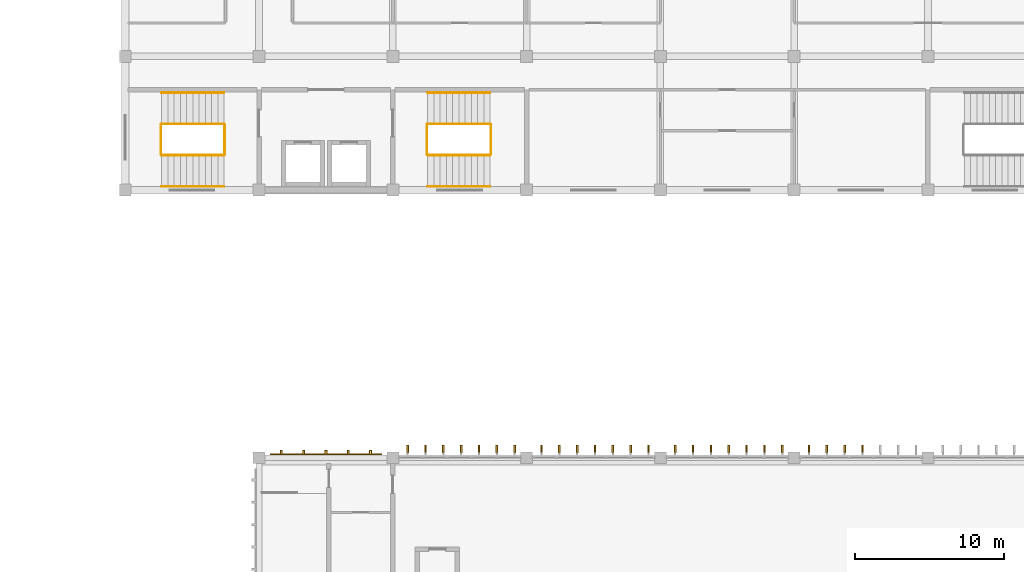
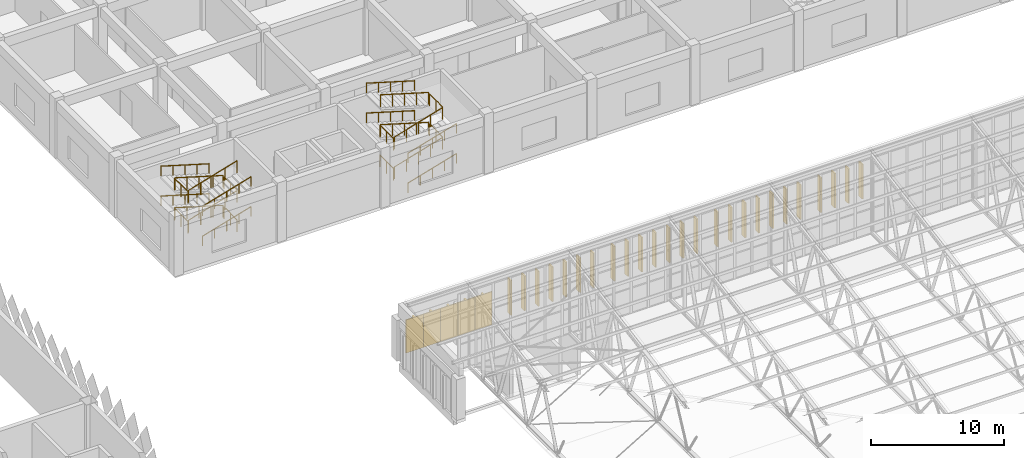
# One storey, part 181 of 185: 30 coverings, 24 railings.
"""IFC4 building model written with IfcOpenShell, lengths in metres."""

from ifc_helpers import new_model, si_unit, direction, frame, origin, origin_2d, place, context, subcontext, project, spatial, polyline, rectangle, circle, outline, extrude, material, layer, layer_set, constituent, constituent_set, type_object, element, save


model = new_model("IFC4")

# Units and contexts
model_context = context("Model", 3, precision=1e-05, world=origin(), true_north=direction((0.0, 1.0)))
body_context = subcontext(model_context, "Body", "Model", "MODEL_VIEW")
ifc_project = project(units=[si_unit("LENGTHUNIT", "METRE"), si_unit("AREAUNIT", "SQUARE_METRE"), si_unit("VOLUMEUNIT", "CUBIC_METRE"), si_unit("PLANEANGLEUNIT", "RADIAN"), si_unit("MASSUNIT", "GRAM", prefix="KILO")], contexts=[model_context])

# Site, building, storey
site_placement = place(None, origin())
site = spatial("IfcSite", under=ifc_project, at=site_placement, CompositionType="ELEMENT")
building_placement = place(site_placement, origin())
building = spatial("IfcBuilding", under=site, at=building_placement, Name="Opaline Strait Convention Centre", CompositionType="ELEMENT")
storey_placement = place(building_placement, frame((0.0, 0.0, 6.0)))
storey = spatial("IfcBuildingStorey", under=building, at=storey_placement, Name="L01", CompositionType="ELEMENT", Elevation=6.0)

# Railings
ifc_material_1 = material(Name="Steel Q235B", Category="steel")
ifc_constituent_1 = constituent(ifc_material_1, Name="Frame")
ifc_material_2 = material(Name="Safety glass, bonded interlayer", Category="glass")
ifc_constituent_2 = constituent(ifc_material_2, Name="Infill")
ifc_constituent_set = constituent_set(constituents=[ifc_constituent_1, ifc_constituent_2], Name="Steel Q235B, Safety glass, bonded interlayer")
railing_type_1 = type_object("IfcRailingType", Name="Guard 1100 steel and glass", PredefinedType="GUARDRAIL", material=ifc_constituent_set)
railing_1_placement = place(storey_placement, frame((285.650146484375, 94.4501953125, 0.125)))
element("IfcRailing", 1, at=railing_1_placement, inside=storey, type_object=railing_type_1, Name="L01 S1 stair guard 1", PredefinedType="GUARDRAIL", context=body_context, shape_type="SweptSolid", body=[
    extrude(circle(Radius=0.02392578125, at=origin_2d()), frame((0.0, 0.0, 1.076171875), z_axis=(-0.958451171748, 0.0, 0.285256641246), x_axis=(0.0, -1.0, 0.0)), (0.0, 0.0, 1.0), 4.382080078125),
    extrude(circle(Radius=0.02099609375, at=origin_2d()), origin(), (0.0, 0.0, 1.0), 1.052001953125),
    extrude(circle(Radius=0.02099609375, at=origin_2d()), frame((-1.050048828125, 0.0, 0.3125)), (0.0, 0.0, 1.0), 1.052001953125),
    extrude(circle(Radius=0.02099609375, at=origin_2d()), frame((-2.10009765625, 0.0, 0.625)), (0.0, 0.0, 1.0), 1.052001953125),
    extrude(circle(Radius=0.02099609375, at=origin_2d()), frame((-3.14990234375, 0.0, 0.9375)), (0.0, 0.0, 1.0), 1.052001953125),
    extrude(circle(Radius=0.02099609375, at=origin_2d()), frame((-4.199951171875, 0.0, 1.25)), (0.0, 0.0, 1.0), 1.052001953125),
])
railing_2_placement = place(storey_placement, frame((281.400146484375, 94.400146484375, 1.375)))
element("IfcRailing", 2, at=railing_2_placement, inside=storey, type_object=railing_type_1, Name="L01 S1 stair guard 2", PredefinedType="GUARDRAIL", context=body_context, shape_type="SweptSolid", body=[
    extrude(circle(Radius=0.02392578125, at=origin_2d()), frame((0.0, 0.0, 1.076171875), z_axis=(0.0, -1.0, 0.0), x_axis=(1.0, 0.0, 0.0)), (0.0, 0.0, 1.0), 2.0),
    extrude(circle(Radius=0.02099609375, at=origin_2d()), origin(), (0.0, 0.0, 1.0), 1.052001953125),
    extrude(circle(Radius=0.02099609375, at=origin_2d()), frame((0.0, -1.0, 0.0)), (0.0, 0.0, 1.0), 1.052001953125),
    extrude(circle(Radius=0.02099609375, at=origin_2d()), frame((0.0, -2.0, 0.0)), (0.0, 0.0, 1.0), 1.052001953125),
])
railing_3_placement = place(storey_placement, frame((281.4501953125, 92.35009765625, 1.5)))
element("IfcRailing", 3, at=railing_3_placement, inside=storey, type_object=railing_type_1, Name="L01 S1 stair guard 3", PredefinedType="GUARDRAIL", context=body_context, shape_type="SweptSolid", body=[
    extrude(circle(Radius=0.02392578125, at=origin_2d()), frame((0.0, 0.0, 1.076171875), z_axis=(0.958451171748, 0.0, 0.285256641246), x_axis=(0.0, 1.0, 0.0)), (0.0, 0.0, 1.0), 4.382080078125),
    extrude(circle(Radius=0.02099609375, at=origin_2d()), origin(), (0.0, 0.0, 1.0), 1.052001953125),
    extrude(circle(Radius=0.02099609375, at=origin_2d()), frame((1.050048828125, 0.0, 0.3125)), (0.0, 0.0, 1.0), 1.052001953125),
    extrude(circle(Radius=0.02099609375, at=origin_2d()), frame((2.10009765625, 0.0, 0.625)), (0.0, 0.0, 1.0), 1.052001953125),
    extrude(circle(Radius=0.02099609375, at=origin_2d()), frame((3.14990234375, 0.0, 0.9375)), (0.0, 0.0, 1.0), 1.052001953125),
    extrude(circle(Radius=0.02099609375, at=origin_2d()), frame((4.199951171875, 0.0, 1.25)), (0.0, 0.0, 1.0), 1.052001953125),
])
railing_4_placement = place(storey_placement, frame((285.7001953125, 94.400146484375, 2.75)))
element("IfcRailing", 4, at=railing_4_placement, inside=storey, type_object=railing_type_1, Name="L01 S1 stair guard 4", PredefinedType="GUARDRAIL", context=body_context, shape_type="SweptSolid", body=[
    extrude(circle(Radius=0.02392578125, at=origin_2d()), frame((0.0, 0.0, 1.076171875), z_axis=(0.0, -1.0, 0.0), x_axis=(1.0, 0.0, 0.0)), (0.0, 0.0, 1.0), 2.0),
    extrude(circle(Radius=0.02099609375, at=origin_2d()), origin(), (0.0, 0.0, 1.0), 1.052001953125),
    extrude(circle(Radius=0.02099609375, at=origin_2d()), frame((0.0, -1.0, 0.0)), (0.0, 0.0, 1.0), 1.052001953125),
    extrude(circle(Radius=0.02099609375, at=origin_2d()), frame((0.0, -2.0, 0.0)), (0.0, 0.0, 1.0), 1.052001953125),
])
railing_5_placement = place(storey_placement, frame((285.650146484375, 94.4501953125, 2.875)))
element("IfcRailing", 5, at=railing_5_placement, inside=storey, type_object=railing_type_1, Name="L01 S1 stair guard 5", PredefinedType="GUARDRAIL", context=body_context, shape_type="SweptSolid", body=[
    extrude(circle(Radius=0.02392578125, at=origin_2d()), frame((0.0, 0.0, 1.076171875), z_axis=(-0.958451171748, 0.0, 0.285256641246), x_axis=(0.0, -1.0, 0.0)), (0.0, 0.0, 1.0), 4.382080078125),
    extrude(circle(Radius=0.02099609375, at=origin_2d()), origin(), (0.0, 0.0, 1.0), 1.052001953125),
    extrude(circle(Radius=0.02099609375, at=origin_2d()), frame((-1.050048828125, 0.0, 0.3125)), (0.0, 0.0, 1.0), 1.052001953125),
    extrude(circle(Radius=0.02099609375, at=origin_2d()), frame((-2.10009765625, 0.0, 0.625)), (0.0, 0.0, 1.0), 1.052001953125),
    extrude(circle(Radius=0.02099609375, at=origin_2d()), frame((-3.14990234375, 0.0, 0.9375)), (0.0, 0.0, 1.0), 1.052001953125),
    extrude(circle(Radius=0.02099609375, at=origin_2d()), frame((-4.199951171875, 0.0, 1.25)), (0.0, 0.0, 1.0), 1.052001953125),
])
railing_6_placement = place(storey_placement, frame((281.400146484375, 94.400146484375, 4.125)))
element("IfcRailing", 6, at=railing_6_placement, inside=storey, type_object=railing_type_1, Name="L01 S1 stair guard 6", PredefinedType="GUARDRAIL", context=body_context, shape_type="SweptSolid", body=[
    extrude(circle(Radius=0.02392578125, at=origin_2d()), frame((0.0, 0.0, 1.076171875), z_axis=(0.0, -1.0, 0.0), x_axis=(1.0, 0.0, 0.0)), (0.0, 0.0, 1.0), 2.0),
    extrude(circle(Radius=0.02099609375, at=origin_2d()), origin(), (0.0, 0.0, 1.0), 1.052001953125),
    extrude(circle(Radius=0.02099609375, at=origin_2d()), frame((0.0, -1.0, 0.0)), (0.0, 0.0, 1.0), 1.052001953125),
    extrude(circle(Radius=0.02099609375, at=origin_2d()), frame((0.0, -2.0, 0.0)), (0.0, 0.0, 1.0), 1.052001953125),
])
railing_7_placement = place(storey_placement, frame((281.4501953125, 92.35009765625, 4.25)))
element("IfcRailing", 7, at=railing_7_placement, inside=storey, type_object=railing_type_1, Name="L01 S1 stair guard 7", PredefinedType="GUARDRAIL", context=body_context, shape_type="SweptSolid", body=[
    extrude(circle(Radius=0.02392578125, at=origin_2d()), frame((0.0, 0.0, 1.076171875), z_axis=(0.958451171748, 0.0, 0.285256641246), x_axis=(0.0, 1.0, 0.0)), (0.0, 0.0, 1.0), 4.382080078125),
    extrude(circle(Radius=0.02099609375, at=origin_2d()), origin(), (0.0, 0.0, 1.0), 1.052001953125),
    extrude(circle(Radius=0.02099609375, at=origin_2d()), frame((1.050048828125, 0.0, 0.3125)), (0.0, 0.0, 1.0), 1.052001953125),
    extrude(circle(Radius=0.02099609375, at=origin_2d()), frame((2.10009765625, 0.0, 0.625)), (0.0, 0.0, 1.0), 1.052001953125),
    extrude(circle(Radius=0.02099609375, at=origin_2d()), frame((3.14990234375, 0.0, 0.9375)), (0.0, 0.0, 1.0), 1.052001953125),
    extrude(circle(Radius=0.02099609375, at=origin_2d()), frame((4.199951171875, 0.0, 1.25)), (0.0, 0.0, 1.0), 1.052001953125),
])
railing_8_placement = place(storey_placement, frame((285.7001953125, 94.400146484375, 0.0)))
element("IfcRailing", 8, at=railing_8_placement, inside=storey, type_object=railing_type_1, Name="L01 S1 stair guard 8", PredefinedType="GUARDRAIL", context=body_context, shape_type="SweptSolid", body=[
    extrude(circle(Radius=0.02392578125, at=origin_2d()), frame((0.0, 0.0, 1.076171875), z_axis=(0.0, -1.0, 0.0), x_axis=(1.0, 0.0, 0.0)), (0.0, 0.0, 1.0), 2.0),
    extrude(circle(Radius=0.02099609375, at=origin_2d()), origin(), (0.0, 0.0, 1.0), 1.052001953125),
    extrude(circle(Radius=0.02099609375, at=origin_2d()), frame((0.0, -1.0, 0.0)), (0.0, 0.0, 1.0), 1.052001953125),
    extrude(circle(Radius=0.02099609375, at=origin_2d()), frame((0.0, -2.0, 0.0)), (0.0, 0.0, 1.0), 1.052001953125),
])
railing_9_placement = place(storey_placement, frame((299.349853515625, 92.349853515625, 0.125)))
element("IfcRailing", 9, at=railing_9_placement, inside=storey, type_object=railing_type_1, Name="L01 S2 stair guard 1", PredefinedType="GUARDRAIL", context=body_context, shape_type="SweptSolid", body=[
    extrude(circle(Radius=0.02392578125, at=origin_2d()), frame((0.0, 0.0, 1.076171875), z_axis=(0.958451171748, 0.0, 0.285256641246), x_axis=(0.0, 1.0, 0.0)), (0.0, 0.0, 1.0), 4.382080078125),
    extrude(circle(Radius=0.02099609375, at=origin_2d()), origin(), (0.0, 0.0, 1.0), 1.052001953125),
    extrude(circle(Radius=0.02099609375, at=origin_2d()), frame((1.050048828125, 0.0, 0.3125)), (0.0, 0.0, 1.0), 1.052001953125),
    extrude(circle(Radius=0.02099609375, at=origin_2d()), frame((2.10009765625, 0.0, 0.625)), (0.0, 0.0, 1.0), 1.052001953125),
    extrude(circle(Radius=0.02099609375, at=origin_2d()), frame((3.14990234375, 0.0, 0.9375)), (0.0, 0.0, 1.0), 1.052001953125),
    extrude(circle(Radius=0.02099609375, at=origin_2d()), frame((4.199951171875, 0.0, 1.25)), (0.0, 0.0, 1.0), 1.052001953125),
])
railing_10_placement = place(storey_placement, frame((303.599853515625, 92.39990234375, 1.375)))
element("IfcRailing", 10, at=railing_10_placement, inside=storey, type_object=railing_type_1, Name="L01 S2 stair guard 2", PredefinedType="GUARDRAIL", context=body_context, shape_type="SweptSolid", body=[
    extrude(circle(Radius=0.02392578125, at=origin_2d()), frame((0.0, 0.0, 1.076171875), z_axis=(0.0, 1.0, 0.0), x_axis=(-1.0, 0.0, 0.0)), (0.0, 0.0, 1.0), 2.0),
    extrude(circle(Radius=0.02099609375, at=origin_2d()), origin(), (0.0, 0.0, 1.0), 1.052001953125),
    extrude(circle(Radius=0.02099609375, at=origin_2d()), frame((0.0, 1.0, 0.0)), (0.0, 0.0, 1.0), 1.052001953125),
    extrude(circle(Radius=0.02099609375, at=origin_2d()), frame((0.0, 2.0, 0.0)), (0.0, 0.0, 1.0), 1.052001953125),
])
railing_11_placement = place(storey_placement, frame((303.5498046875, 94.449951171875, 1.5)))
element("IfcRailing", 11, at=railing_11_placement, inside=storey, type_object=railing_type_1, Name="L01 S2 stair guard 3", PredefinedType="GUARDRAIL", context=body_context, shape_type="SweptSolid", body=[
    extrude(circle(Radius=0.02392578125, at=origin_2d()), frame((0.0, 0.0, 1.076171875), z_axis=(-0.958451171748, 0.0, 0.285256641246), x_axis=(0.0, -1.0, 0.0)), (0.0, 0.0, 1.0), 4.382080078125),
    extrude(circle(Radius=0.02099609375, at=origin_2d()), origin(), (0.0, 0.0, 1.0), 1.052001953125),
    extrude(circle(Radius=0.02099609375, at=origin_2d()), frame((-1.050048828125, 0.0, 0.3125)), (0.0, 0.0, 1.0), 1.052001953125),
    extrude(circle(Radius=0.02099609375, at=origin_2d()), frame((-2.10009765625, 0.0, 0.625)), (0.0, 0.0, 1.0), 1.052001953125),
    extrude(circle(Radius=0.02099609375, at=origin_2d()), frame((-3.14990234375, 0.0, 0.9375)), (0.0, 0.0, 1.0), 1.052001953125),
    extrude(circle(Radius=0.02099609375, at=origin_2d()), frame((-4.199951171875, 0.0, 1.25)), (0.0, 0.0, 1.0), 1.052001953125),
])
railing_12_placement = place(storey_placement, frame((299.2998046875, 92.39990234375, 2.75)))
element("IfcRailing", 12, at=railing_12_placement, inside=storey, type_object=railing_type_1, Name="L01 S2 stair guard 4", PredefinedType="GUARDRAIL", context=body_context, shape_type="SweptSolid", body=[
    extrude(circle(Radius=0.02392578125, at=origin_2d()), frame((0.0, 0.0, 1.076171875), z_axis=(0.0, 1.0, 0.0), x_axis=(-1.0, 0.0, 0.0)), (0.0, 0.0, 1.0), 2.0),
    extrude(circle(Radius=0.02099609375, at=origin_2d()), origin(), (0.0, 0.0, 1.0), 1.052001953125),
    extrude(circle(Radius=0.02099609375, at=origin_2d()), frame((0.0, 1.0, 0.0)), (0.0, 0.0, 1.0), 1.052001953125),
    extrude(circle(Radius=0.02099609375, at=origin_2d()), frame((0.0, 2.0, 0.0)), (0.0, 0.0, 1.0), 1.052001953125),
])
railing_13_placement = place(storey_placement, frame((299.349853515625, 92.349853515625, 2.875)))
element("IfcRailing", 13, at=railing_13_placement, inside=storey, type_object=railing_type_1, Name="L01 S2 stair guard 5", PredefinedType="GUARDRAIL", context=body_context, shape_type="SweptSolid", body=[
    extrude(circle(Radius=0.02392578125, at=origin_2d()), frame((0.0, 0.0, 1.076171875), z_axis=(0.958451171748, 0.0, 0.285256641246), x_axis=(0.0, 1.0, 0.0)), (0.0, 0.0, 1.0), 4.382080078125),
    extrude(circle(Radius=0.02099609375, at=origin_2d()), origin(), (0.0, 0.0, 1.0), 1.052001953125),
    extrude(circle(Radius=0.02099609375, at=origin_2d()), frame((1.050048828125, 0.0, 0.3125)), (0.0, 0.0, 1.0), 1.052001953125),
    extrude(circle(Radius=0.02099609375, at=origin_2d()), frame((2.10009765625, 0.0, 0.625)), (0.0, 0.0, 1.0), 1.052001953125),
    extrude(circle(Radius=0.02099609375, at=origin_2d()), frame((3.14990234375, 0.0, 0.9375)), (0.0, 0.0, 1.0), 1.052001953125),
    extrude(circle(Radius=0.02099609375, at=origin_2d()), frame((4.199951171875, 0.0, 1.25)), (0.0, 0.0, 1.0), 1.052001953125),
])
railing_14_placement = place(storey_placement, frame((303.599853515625, 92.39990234375, 4.125)))
element("IfcRailing", 14, at=railing_14_placement, inside=storey, type_object=railing_type_1, Name="L01 S2 stair guard 6", PredefinedType="GUARDRAIL", context=body_context, shape_type="SweptSolid", body=[
    extrude(circle(Radius=0.02392578125, at=origin_2d()), frame((0.0, 0.0, 1.076171875), z_axis=(0.0, 1.0, 0.0), x_axis=(-1.0, 0.0, 0.0)), (0.0, 0.0, 1.0), 2.0),
    extrude(circle(Radius=0.02099609375, at=origin_2d()), origin(), (0.0, 0.0, 1.0), 1.052001953125),
    extrude(circle(Radius=0.02099609375, at=origin_2d()), frame((0.0, 1.0, 0.0)), (0.0, 0.0, 1.0), 1.052001953125),
    extrude(circle(Radius=0.02099609375, at=origin_2d()), frame((0.0, 2.0, 0.0)), (0.0, 0.0, 1.0), 1.052001953125),
])
railing_15_placement = place(storey_placement, frame((303.5498046875, 94.449951171875, 4.25)))
element("IfcRailing", 15, at=railing_15_placement, inside=storey, type_object=railing_type_1, Name="L01 S2 stair guard 7", PredefinedType="GUARDRAIL", context=body_context, shape_type="SweptSolid", body=[
    extrude(circle(Radius=0.02392578125, at=origin_2d()), frame((0.0, 0.0, 1.076171875), z_axis=(-0.958451171748, 0.0, 0.285256641246), x_axis=(0.0, -1.0, 0.0)), (0.0, 0.0, 1.0), 4.382080078125),
    extrude(circle(Radius=0.02099609375, at=origin_2d()), origin(), (0.0, 0.0, 1.0), 1.052001953125),
    extrude(circle(Radius=0.02099609375, at=origin_2d()), frame((-1.050048828125, 0.0, 0.3125)), (0.0, 0.0, 1.0), 1.052001953125),
    extrude(circle(Radius=0.02099609375, at=origin_2d()), frame((-2.10009765625, 0.0, 0.625)), (0.0, 0.0, 1.0), 1.052001953125),
    extrude(circle(Radius=0.02099609375, at=origin_2d()), frame((-3.14990234375, 0.0, 0.9375)), (0.0, 0.0, 1.0), 1.052001953125),
    extrude(circle(Radius=0.02099609375, at=origin_2d()), frame((-4.199951171875, 0.0, 1.25)), (0.0, 0.0, 1.0), 1.052001953125),
])
railing_16_placement = place(storey_placement, frame((299.2998046875, 92.39990234375, 0.0)))
element("IfcRailing", 16, at=railing_16_placement, inside=storey, type_object=railing_type_1, Name="L01 S2 stair guard 8", PredefinedType="GUARDRAIL", context=body_context, shape_type="SweptSolid", body=[
    extrude(circle(Radius=0.02392578125, at=origin_2d()), frame((0.0, 0.0, 1.076171875), z_axis=(0.0, 1.0, 0.0), x_axis=(-1.0, 0.0, 0.0)), (0.0, 0.0, 1.0), 2.0),
    extrude(circle(Radius=0.02099609375, at=origin_2d()), origin(), (0.0, 0.0, 1.0), 1.052001953125),
    extrude(circle(Radius=0.02099609375, at=origin_2d()), frame((0.0, 1.0, 0.0)), (0.0, 0.0, 1.0), 1.052001953125),
    extrude(circle(Radius=0.02099609375, at=origin_2d()), frame((0.0, 2.0, 0.0)), (0.0, 0.0, 1.0), 1.052001953125),
])

# Coverings
ifc_material_3 = material(Name="Concrete C40 precast white", Category="concrete")
ifc_layer_1 = layer(ifc_material_3, 0.300048828125)
ifc_layer_set_1 = layer_set([ifc_layer_1], Name="Concrete C40 precast white")
covering_type_1 = type_object("IfcCoveringType", Name="Ribbed precast panel white 1500", PredefinedType="CLADDING", material=ifc_layer_set_1)
covering_1_placement = place(storey_placement, origin())
element("IfcCovering", 17, at=covering_1_placement, inside=storey, type_object=covering_type_1, Name="Ribbed panel L01-N0 1", PredefinedType="CLADDING", context=body_context, shape_type="SweptSolid", body=[
    extrude(outline(polyline([(288.75, 72.199951171875), (290.25, 72.199951171875), (290.25, 72.280029296875), (289.574951171875, 72.280029296875), (289.574951171875, 72.5), (289.425048828125, 72.5), (289.425048828125, 72.280029296875), (288.75, 72.280029296875), (288.75, 72.199951171875)])), origin(), (0.0, 0.0, 1.0), 3.050048828125),
])
covering_2_placement = place(storey_placement, origin())
element("IfcCovering", 18, at=covering_2_placement, inside=storey, type_object=covering_type_1, Name="Ribbed panel L01-N0 2", PredefinedType="CLADDING", context=body_context, shape_type="SweptSolid", body=[
    extrude(outline(polyline([(290.25, 72.199951171875), (291.75, 72.199951171875), (291.75, 72.280029296875), (291.074951171875, 72.280029296875), (291.074951171875, 72.5), (290.925048828125, 72.5), (290.925048828125, 72.280029296875), (290.25, 72.280029296875), (290.25, 72.199951171875)])), origin(), (0.0, 0.0, 1.0), 3.050048828125),
])
covering_3_placement = place(storey_placement, origin())
element("IfcCovering", 19, at=covering_3_placement, inside=storey, type_object=covering_type_1, Name="Ribbed panel L01-N0 3", PredefinedType="CLADDING", context=body_context, shape_type="SweptSolid", body=[
    extrude(outline(polyline([(291.75, 72.199951171875), (293.25, 72.199951171875), (293.25, 72.280029296875), (292.574951171875, 72.280029296875), (292.574951171875, 72.5), (292.425048828125, 72.5), (292.425048828125, 72.280029296875), (291.75, 72.280029296875), (291.75, 72.199951171875)])), origin(), (0.0, 0.0, 1.0), 3.050048828125),
])
covering_4_placement = place(storey_placement, origin())
element("IfcCovering", 20, at=covering_4_placement, inside=storey, type_object=covering_type_1, Name="Ribbed panel L01-N0 4", PredefinedType="CLADDING", context=body_context, shape_type="SweptSolid", body=[
    extrude(outline(polyline([(293.25, 72.199951171875), (294.75, 72.199951171875), (294.75, 72.280029296875), (294.074951171875, 72.280029296875), (294.074951171875, 72.5), (293.925048828125, 72.5), (293.925048828125, 72.280029296875), (293.25, 72.280029296875), (293.25, 72.199951171875)])), origin(), (0.0, 0.0, 1.0), 3.050048828125),
])
covering_5_placement = place(storey_placement, origin())
element("IfcCovering", 21, at=covering_5_placement, inside=storey, type_object=covering_type_1, Name="Ribbed panel L01-N0 5", PredefinedType="CLADDING", context=body_context, shape_type="SweptSolid", body=[
    extrude(outline(polyline([(294.75, 72.199951171875), (296.25, 72.199951171875), (296.25, 72.280029296875), (295.574951171875, 72.280029296875), (295.574951171875, 72.5), (295.425048828125, 72.5), (295.425048828125, 72.280029296875), (294.75, 72.280029296875), (294.75, 72.199951171875)])), origin(), (0.0, 0.0, 1.0), 3.050048828125),
])

# Railings
ifc_material_4 = material(Name="Stainless steel 304", Category="steel")
railing_type_2 = type_object("IfcRailingType", Name="Stair handrail 900 stainless steel", PredefinedType="HANDRAIL", material=ifc_material_4)
railing_17_placement = place(storey_placement, frame((285.650146484375, 96.550048828125, 0.125)))
element("IfcRailing", 22, at=railing_17_placement, inside=storey, type_object=railing_type_2, Name="L01 S1 stair handrail 1", PredefinedType="HANDRAIL", context=body_context, shape_type="SweptSolid", body=[
    extrude(circle(Radius=0.02392578125, at=origin_2d()), frame((0.0, 0.0, 0.8759765625), z_axis=(-0.958451171748, 0.0, 0.285256641246), x_axis=(0.0, -1.0, 0.0)), (0.0, 0.0, 1.0), 4.382080078125),
    extrude(circle(Radius=0.02099609375, at=origin_2d()), origin(), (0.0, 0.0, 1.0), 0.851806640625),
    extrude(circle(Radius=0.02099609375, at=origin_2d()), frame((-1.050048828125, 0.0, 0.3125)), (0.0, 0.0, 1.0), 0.851806640625),
    extrude(circle(Radius=0.02099609375, at=origin_2d()), frame((-2.10009765625, 0.0, 0.625)), (0.0, 0.0, 1.0), 0.851806640625),
    extrude(circle(Radius=0.02099609375, at=origin_2d()), frame((-3.14990234375, 0.0, 0.9375)), (0.0, 0.0, 1.0), 0.851806640625),
    extrude(circle(Radius=0.02099609375, at=origin_2d()), frame((-4.199951171875, 0.0, 1.25)), (0.0, 0.0, 1.0), 0.851806640625),
])
railing_18_placement = place(storey_placement, frame((281.4501953125, 90.25, 1.5)))
element("IfcRailing", 23, at=railing_18_placement, inside=storey, type_object=railing_type_2, Name="L01 S1 stair handrail 2", PredefinedType="HANDRAIL", context=body_context, shape_type="SweptSolid", body=[
    extrude(circle(Radius=0.02392578125, at=origin_2d()), frame((0.0, 0.0, 0.8759765625), z_axis=(0.958451171748, 0.0, 0.285256641246), x_axis=(0.0, 1.0, 0.0)), (0.0, 0.0, 1.0), 4.382080078125),
    extrude(circle(Radius=0.02099609375, at=origin_2d()), origin(), (0.0, 0.0, 1.0), 0.851806640625),
    extrude(circle(Radius=0.02099609375, at=origin_2d()), frame((1.050048828125, 0.0, 0.3125)), (0.0, 0.0, 1.0), 0.851806640625),
    extrude(circle(Radius=0.02099609375, at=origin_2d()), frame((2.10009765625, 0.0, 0.625)), (0.0, 0.0, 1.0), 0.851806640625),
    extrude(circle(Radius=0.02099609375, at=origin_2d()), frame((3.14990234375, 0.0, 0.9375)), (0.0, 0.0, 1.0), 0.851806640625),
    extrude(circle(Radius=0.02099609375, at=origin_2d()), frame((4.199951171875, 0.0, 1.25)), (0.0, 0.0, 1.0), 0.851806640625),
])
railing_19_placement = place(storey_placement, frame((285.650146484375, 96.550048828125, 2.875)))
element("IfcRailing", 24, at=railing_19_placement, inside=storey, type_object=railing_type_2, Name="L01 S1 stair handrail 3", PredefinedType="HANDRAIL", context=body_context, shape_type="SweptSolid", body=[
    extrude(circle(Radius=0.02392578125, at=origin_2d()), frame((0.0, 0.0, 0.8759765625), z_axis=(-0.958451171748, 0.0, 0.285256641246), x_axis=(0.0, -1.0, 0.0)), (0.0, 0.0, 1.0), 4.382080078125),
    extrude(circle(Radius=0.02099609375, at=origin_2d()), origin(), (0.0, 0.0, 1.0), 0.851806640625),
    extrude(circle(Radius=0.02099609375, at=origin_2d()), frame((-1.050048828125, 0.0, 0.3125)), (0.0, 0.0, 1.0), 0.851806640625),
    extrude(circle(Radius=0.02099609375, at=origin_2d()), frame((-2.10009765625, 0.0, 0.625)), (0.0, 0.0, 1.0), 0.851806640625),
    extrude(circle(Radius=0.02099609375, at=origin_2d()), frame((-3.14990234375, 0.0, 0.9375)), (0.0, 0.0, 1.0), 0.851806640625),
    extrude(circle(Radius=0.02099609375, at=origin_2d()), frame((-4.199951171875, 0.0, 1.25)), (0.0, 0.0, 1.0), 0.851806640625),
])
for number, where, name in (
    (25, (281.4501953125, 90.25, 4.25), "L01 S1 stair handrail 4"),
    (26, (299.349853515625, 90.25, 0.125), "L01 S2 stair handrail 1"),
):
    element("IfcRailing", number, at=place(storey_placement, frame(where)), inside=storey, type_object=railing_type_2, Name=name, PredefinedType="HANDRAIL", context=body_context, shape_type="SweptSolid", body=[
        extrude(circle(Radius=0.02392578125, at=origin_2d()), frame((0.0, 0.0, 0.8759765625), z_axis=(0.958451171748, 0.0, 0.285256641246), x_axis=(0.0, 1.0, 0.0)), (0.0, 0.0, 1.0), 4.382080078125),
        extrude(circle(Radius=0.02099609375, at=origin_2d()), origin(), (0.0, 0.0, 1.0), 0.851806640625),
        extrude(circle(Radius=0.02099609375, at=origin_2d()), frame((1.050048828125, 0.0, 0.3125)), (0.0, 0.0, 1.0), 0.851806640625),
        extrude(circle(Radius=0.02099609375, at=origin_2d()), frame((2.10009765625, 0.0, 0.625)), (0.0, 0.0, 1.0), 0.851806640625),
        extrude(circle(Radius=0.02099609375, at=origin_2d()), frame((3.14990234375, 0.0, 0.9375)), (0.0, 0.0, 1.0), 0.851806640625),
        extrude(circle(Radius=0.02099609375, at=origin_2d()), frame((4.199951171875, 0.0, 1.25)), (0.0, 0.0, 1.0), 0.851806640625),
    ])
railing_20_placement = place(storey_placement, frame((303.5498046875, 96.550048828125, 1.5)))
element("IfcRailing", 27, at=railing_20_placement, inside=storey, type_object=railing_type_2, Name="L01 S2 stair handrail 2", PredefinedType="HANDRAIL", context=body_context, shape_type="SweptSolid", body=[
    extrude(circle(Radius=0.02392578125, at=origin_2d()), frame((0.0, 0.0, 0.8759765625), z_axis=(-0.958451171748, 0.0, 0.285256641246), x_axis=(0.0, -1.0, 0.0)), (0.0, 0.0, 1.0), 4.382080078125),
    extrude(circle(Radius=0.02099609375, at=origin_2d()), origin(), (0.0, 0.0, 1.0), 0.851806640625),
    extrude(circle(Radius=0.02099609375, at=origin_2d()), frame((-1.050048828125, 0.0, 0.3125)), (0.0, 0.0, 1.0), 0.851806640625),
    extrude(circle(Radius=0.02099609375, at=origin_2d()), frame((-2.10009765625, 0.0, 0.625)), (0.0, 0.0, 1.0), 0.851806640625),
    extrude(circle(Radius=0.02099609375, at=origin_2d()), frame((-3.14990234375, 0.0, 0.9375)), (0.0, 0.0, 1.0), 0.851806640625),
    extrude(circle(Radius=0.02099609375, at=origin_2d()), frame((-4.199951171875, 0.0, 1.25)), (0.0, 0.0, 1.0), 0.851806640625),
])
railing_21_placement = place(storey_placement, frame((299.349853515625, 90.25, 2.875)))
element("IfcRailing", 28, at=railing_21_placement, inside=storey, type_object=railing_type_2, Name="L01 S2 stair handrail 3", PredefinedType="HANDRAIL", context=body_context, shape_type="SweptSolid", body=[
    extrude(circle(Radius=0.02392578125, at=origin_2d()), frame((0.0, 0.0, 0.8759765625), z_axis=(0.958451171748, 0.0, 0.285256641246), x_axis=(0.0, 1.0, 0.0)), (0.0, 0.0, 1.0), 4.382080078125),
    extrude(circle(Radius=0.02099609375, at=origin_2d()), origin(), (0.0, 0.0, 1.0), 0.851806640625),
    extrude(circle(Radius=0.02099609375, at=origin_2d()), frame((1.050048828125, 0.0, 0.3125)), (0.0, 0.0, 1.0), 0.851806640625),
    extrude(circle(Radius=0.02099609375, at=origin_2d()), frame((2.10009765625, 0.0, 0.625)), (0.0, 0.0, 1.0), 0.851806640625),
    extrude(circle(Radius=0.02099609375, at=origin_2d()), frame((3.14990234375, 0.0, 0.9375)), (0.0, 0.0, 1.0), 0.851806640625),
    extrude(circle(Radius=0.02099609375, at=origin_2d()), frame((4.199951171875, 0.0, 1.25)), (0.0, 0.0, 1.0), 0.851806640625),
])
railing_22_placement = place(storey_placement, frame((303.5498046875, 96.550048828125, 4.25)))
element("IfcRailing", 29, at=railing_22_placement, inside=storey, type_object=railing_type_2, Name="L01 S2 stair handrail 4", PredefinedType="HANDRAIL", context=body_context, shape_type="SweptSolid", body=[
    extrude(circle(Radius=0.02392578125, at=origin_2d()), frame((0.0, 0.0, 0.8759765625), z_axis=(-0.958451171748, 0.0, 0.285256641246), x_axis=(0.0, -1.0, 0.0)), (0.0, 0.0, 1.0), 4.382080078125),
    extrude(circle(Radius=0.02099609375, at=origin_2d()), origin(), (0.0, 0.0, 1.0), 0.851806640625),
    extrude(circle(Radius=0.02099609375, at=origin_2d()), frame((-1.050048828125, 0.0, 0.3125)), (0.0, 0.0, 1.0), 0.851806640625),
    extrude(circle(Radius=0.02099609375, at=origin_2d()), frame((-2.10009765625, 0.0, 0.625)), (0.0, 0.0, 1.0), 0.851806640625),
    extrude(circle(Radius=0.02099609375, at=origin_2d()), frame((-3.14990234375, 0.0, 0.9375)), (0.0, 0.0, 1.0), 0.851806640625),
    extrude(circle(Radius=0.02099609375, at=origin_2d()), frame((-4.199951171875, 0.0, 1.25)), (0.0, 0.0, 1.0), 0.851806640625),
])

# Coverings
ifc_material_5 = material(Name="Powder-coated aluminium white", Category="aluminium")
ifc_layer_2 = layer(ifc_material_5, 0.1201171875)
ifc_layer_set_2 = layer_set([ifc_layer_2], Name="Powder-coated aluminium white")
covering_type_2 = type_object("IfcCoveringType", Name="Storm louvre fin 120 x 500", PredefinedType="CLADDING", material=ifc_layer_set_2)
for number, where, z_axis, x_axis, name in (
    (30, (298.0, 72.60009765625, 0.14990234375), (0.0, 0.0, 1.0), (1.0, 0.0, 0.0), "BX2 storm louvre fin north 36"),
    (31, (299.199951171875, 72.60009765625, 0.14990234375), (0.0, 0.0, 1.0), (1.0, 0.0, 0.0), "BX2 storm louvre fin north 37"),
    (32, (300.39990234375, 72.60009765625, 0.14990234375), (0.0, 0.0, 1.0), (1.0, 0.0, 0.0), "BX2 storm louvre fin north 38"),
    (33, (301.60009765625, 72.60009765625, 0.14990234375), (0.0, 0.0, 1.0), (1.0, 0.0, 0.0), "BX2 storm louvre fin north 39"),
    (34, (302.800048828125, 72.60009765625, 0.14990234375), (0.0, 0.0, 1.0), (1.0, 0.0, 0.0), "BX2 storm louvre fin north 40"),
    (35, (304.0, 72.60009765625, 0.14990234375), (0.0, 0.0, 1.0), (1.0, 0.0, 0.0), "BX2 storm louvre fin north 41"),
    (36, (305.199951171875, 72.60009765625, 0.14990234375), (0.0, 0.0, 1.0), (1.0, 0.0, 0.0), "BX2 storm louvre fin north 42"),
    (37, (307.0, 72.60009765625, 0.14990234375), (0.0, 0.0, 1.0), (1.0, 0.0, 0.0), "BX2 storm louvre fin north 43"),
    (38, (308.199951171875, 72.60009765625, 0.14990234375), (0.0, 0.0, 1.0), (1.0, 0.0, 0.0), "BX2 storm louvre fin north 44"),
    (39, (309.39990234375, 72.60009765625, 0.14990234375), (0.0, 0.0, 1.0), (1.0, 0.0, 0.0), "BX2 storm louvre fin north 45"),
    (40, (310.60009765625, 72.60009765625, 0.14990234375), (0.0, 0.0, 1.0), (1.0, 0.0, 0.0), "BX2 storm louvre fin north 46"),
    (41, (311.800048828125, 72.60009765625, 0.14990234375), (0.0, 0.0, 1.0), (1.0, 0.0, 0.0), "BX2 storm louvre fin north 47"),
    (42, (313.0, 72.60009765625, 0.14990234375), (0.0, 0.0, 1.0), (1.0, 0.0, 0.0), "BX2 storm louvre fin north 48"),
    (43, (314.199951171875, 72.60009765625, 0.14990234375), (0.0, 0.0, 1.0), (1.0, 0.0, 0.0), "BX2 storm louvre fin north 49"),
    (44, (316.0, 72.60009765625, 0.14990234375), (0.0, 0.0, 1.0), (1.0, 0.0, 0.0), "BX2 storm louvre fin north 50"),
    (45, (317.199951171875, 72.60009765625, 0.14990234375), (0.0, 0.0, 1.0), (1.0, 0.0, 0.0), "BX2 storm louvre fin north 51"),
    (46, (318.39990234375, 72.60009765625, 0.14990234375), (0.0, 0.0, 1.0), (1.0, 0.0, 0.0), "BX2 storm louvre fin north 52"),
    (47, (319.60009765625, 72.60009765625, 0.14990234375), (0.0, 0.0, 1.0), (1.0, 0.0, 0.0), "BX2 storm louvre fin north 53"),
    (48, (320.800048828125, 72.60009765625, 0.14990234375), (0.0, 0.0, 1.0), (1.0, 0.0, 0.0), "BX2 storm louvre fin north 54"),
    (49, (322.0, 72.60009765625, 0.14990234375), (0.0, 0.0, 1.0), (1.0, 0.0, 0.0), "BX2 storm louvre fin north 55"),
    (50, (323.199951171875, 72.60009765625, 0.14990234375), (0.0, 0.0, 1.0), (1.0, 0.0, 0.0), "BX2 storm louvre fin north 56"),
    (51, (325.0, 72.60009765625, 0.14990234375), (0.0, 0.0, 1.0), (1.0, 0.0, 0.0), "BX2 storm louvre fin north 57"),
    (52, (326.199951171875, 72.60009765625, 0.14990234375), (0.0, 0.0, 1.0), (1.0, 0.0, 0.0), "BX2 storm louvre fin north 58"),
    (53, (327.39990234375, 72.60009765625, 0.14990234375), (0.0, 0.0, 1.0), (1.0, 0.0, 0.0), "BX2 storm louvre fin north 59"),
    (54, (328.60009765625, 72.60009765625, 0.14990234375), (0.0, 0.0, 1.0), (1.0, 0.0, 0.0), "BX2 storm louvre fin north 60"),
):
    element("IfcCovering", number, at=place(storey_placement, frame(where, z_axis=z_axis, x_axis=x_axis)), inside=storey, type_object=covering_type_2, Name=name, PredefinedType="CLADDING", context=body_context, shape_type="SweptSolid", body=[
        extrude(rectangle(XDim=0.1201171875, YDim=0.5, at=origin_2d()), origin(), (0.0, 0.0, 1.0), 3.199951171875),
    ])

save(model, "model.ifc")
